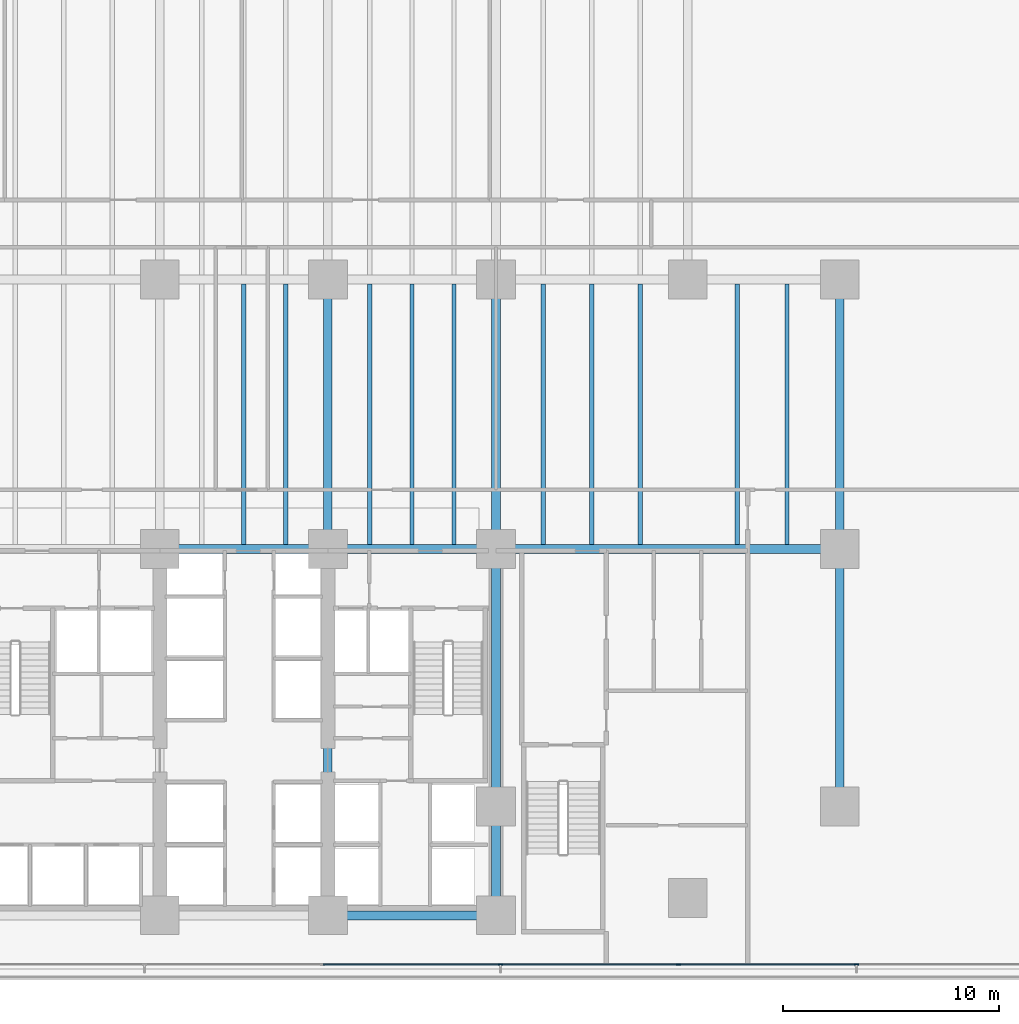
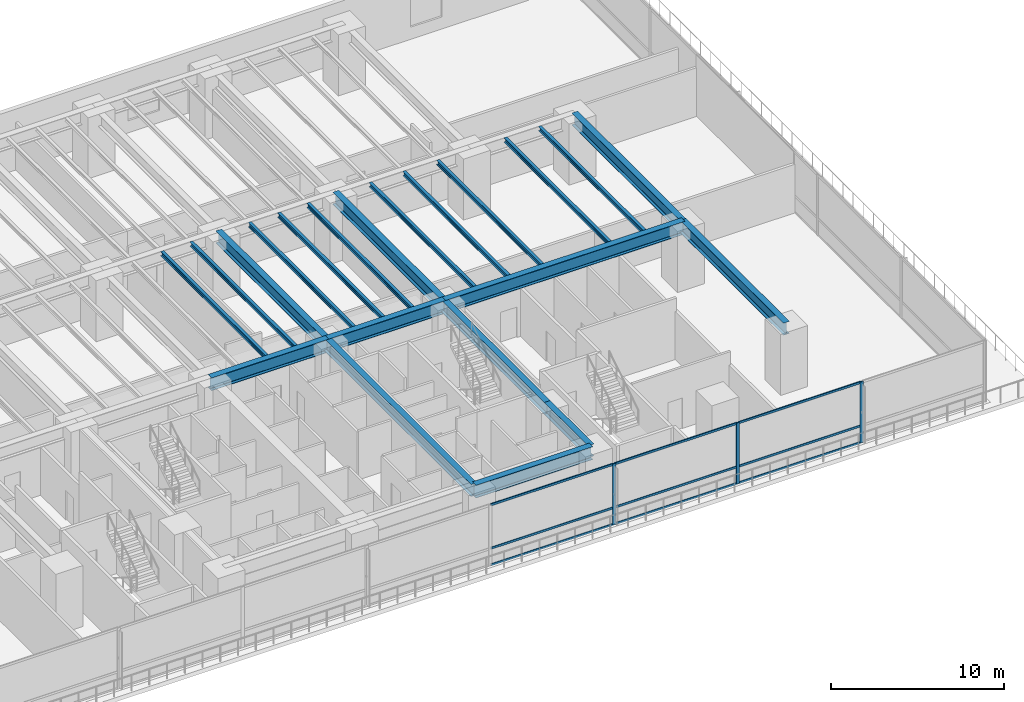
# One storey, part 3 of 24: 21 beams, 12 members, 1 element without a shape of its own.
"""IFC4 building model written with IfcOpenShell, lengths in metres."""

from ifc_helpers import new_model, si_unit, direction, frame, origin, origin_2d, place, context, subcontext, project, spatial, rectangle, i_section, extrude, material, layer, layer_set, material_profile, profile_set, type_object, element, aggregate, save


model = new_model("IFC4")

# Units and contexts
model_context = context("Model", 3, precision=1e-05, world=origin(), true_north=direction((0.0, 1.0)))
body_context = subcontext(model_context, "Body", "Model", "MODEL_VIEW")
ifc_project = project(units=[si_unit("LENGTHUNIT", "METRE"), si_unit("AREAUNIT", "SQUARE_METRE"), si_unit("VOLUMEUNIT", "CUBIC_METRE"), si_unit("PLANEANGLEUNIT", "RADIAN"), si_unit("MASSUNIT", "GRAM", prefix="KILO")], contexts=[model_context])

# Site, building, storey
site_placement = place(None, origin())
site = spatial("IfcSite", under=ifc_project, at=site_placement, CompositionType="ELEMENT")
building_placement = place(site_placement, origin())
building = spatial("IfcBuilding", under=site, at=building_placement, Name="Qalmaran Belvedere Hotel", CompositionType="ELEMENT")
storey_placement = place(building_placement, frame((0.0, 0.0, 14.60009765625)))
storey = spatial("IfcBuildingStorey", under=building, at=storey_placement, Name="L03", CompositionType="ELEMENT", Elevation=14.60009765625)

# Beams
ifc_material_1 = material(Name="Steel S355JR", Category="steel")
ifc_material_profile_1 = material_profile(ifc_material_1, i_section(OverallWidth=0.202880859375, OverallDepth=0.302978515625, WebThickness=0.007568359375, FlangeThickness=0.01318359375, FilletRadius=0.012939453125, at=origin_2d()), Name="W310X60")
ifc_profile_set_1 = profile_set([ifc_material_profile_1], Name="Steel S355JR")
beam_type_1 = type_object("IfcBeamType", Name="BM-JST-W310X60", PredefinedType="JOIST", material=ifc_profile_set_1)
for number, where, z_axis, x_axis, name in (
    (1, (33.10009765625, 20.70703125, 4.1484375), (0.0, 1.0, 0.0), (-1.0, 0.0, 0.0), "L03 Podium South-Ballroom Joist 051"),
    (2, (35.050048828125, 20.70703125, 4.1484375), (0.0, 1.0, 0.0), (-1.0, 0.0, 0.0), "L03 Podium South-Ballroom Joist 053"),
    (3, (38.949951171875, 20.70703125, 4.1484375), (0.0, 1.0, 0.0), (-1.0, 0.0, 0.0), "L03 Podium South-Ballroom Joist 055"),
    (4, (40.89990234375, 20.70703125, 4.1484375), (0.0, 1.0, 0.0), (-1.0, 0.0, 0.0), "L03 Podium South-Ballroom Joist 057"),
    (5, (42.85009765625, 20.70703125, 4.1484375), (0.0, 1.0, 0.0), (-1.0, 0.0, 0.0), "L03 Podium South-Ballroom Joist 059"),
    (6, (47.0, 20.70703125, 4.1484375), (0.0, 1.0, 0.0), (-1.0, 0.0, 0.0), "L03 Podium South-Ballroom Joist 061"),
    (7, (49.25, 20.70703125, 4.1484375), (0.0, 1.0, 0.0), (-1.0, 0.0, 0.0), "L03 Podium South-Ballroom Joist 063"),
    (8, (51.5, 20.70703125, 4.1484375), (0.0, 1.0, 0.0), (-1.0, 0.0, 0.0), "L03 Podium South-Ballroom Joist 065"),
    (9, (56.0, 20.70703125, 4.1484375), (0.0, 1.0, 0.0), (-1.0, 0.0, 0.0), "L03 Podium South-Ballroom Joist 067"),
    (10, (58.300048828125, 20.70703125, 4.1484375), (0.0, 1.0, 0.0), (-1.0, 0.0, 0.0), "L03 Podium South-Ballroom Joist 068"),
):
    element("IfcBeam", number, at=place(storey_placement, frame(where, z_axis=z_axis, x_axis=x_axis)), inside=storey, type_object=beam_type_1, Name=name, PredefinedType="JOIST", context=body_context, shape_type="SweptSolid", body=[
        extrude(i_section(OverallWidth=0.202880859375, OverallDepth=0.302978515625, WebThickness=0.007568359375, FlangeThickness=0.01318359375, FilletRadius=0.012939453125, at=origin_2d()), origin(), (0.0, 0.0, 1.0), 12.0859375),
    ])
ifc_material_profile_2 = material_profile(ifc_material_1, i_section(OverallWidth=0.41796875, OverallDepth=0.912109375, WebThickness=0.019287109375, FlangeThickness=0.031982421875, FilletRadius=0.02392578125, at=origin_2d()), Name="W920X342")
ifc_profile_set_2 = profile_set([ifc_material_profile_2], Name="Steel S355JR")
beam_type_2 = type_object("IfcBeamType", Name="BM-PG2-W920X342", PredefinedType="USERDEFINED", material=ifc_profile_set_2)
for number, where, z_axis, x_axis, name in (
    (11, (37.0, 3.5, 3.843994140625), (1.0, 0.0, 0.0), (0.0, 1.0, 0.0), "L03 Podium Primary Girder GX03"),
    (12, (29.199951171875, 20.5, 3.843994140625), (1.0, 0.0, 0.0), (0.0, 1.0, 0.0), "L03 Podium Primary Girder GX09"),
    (13, (37.0, 20.5, 3.843994140625), (1.0, 0.0, 0.0), (0.0, 1.0, 0.0), "L03 Podium Primary Girder GX10"),
):
    element("IfcBeam", number, at=place(storey_placement, frame(where, z_axis=z_axis, x_axis=x_axis)), inside=storey, type_object=beam_type_2, Name=name, ObjectType="GIRDER", PredefinedType="USERDEFINED", context=body_context, shape_type="SweptSolid", body=[
        extrude(i_section(OverallWidth=0.41796875, OverallDepth=0.912109375, WebThickness=0.019287109375, FlangeThickness=0.031982421875, FilletRadius=0.02392578125, at=origin_2d()), origin(), (0.0, 0.0, 1.0), 7.800048828125),
    ])
beam_1_placement = place(storey_placement, frame((44.800048828125, 20.5, 3.843994140625), z_axis=(1.0, 0.0, 0.0), x_axis=(0.0, 1.0, 0.0)))
element("IfcBeam", 14, at=beam_1_placement, inside=storey, type_object=beam_type_2, Name="L03 Podium Primary Girder GX11", ObjectType="GIRDER", PredefinedType="USERDEFINED", context=body_context, shape_type="SweptSolid", body=[
    extrude(i_section(OverallWidth=0.41796875, OverallDepth=0.912109375, WebThickness=0.019287109375, FlangeThickness=0.031982421875, FilletRadius=0.02392578125, at=origin_2d()), origin(), (0.0, 0.0, 1.0), 15.949951171875),
])
ifc_material_profile_3 = material_profile(ifc_material_1, i_section(OverallWidth=0.39990234375, OverallDepth=0.85498046875, WebThickness=0.018310546875, FlangeThickness=0.029296875, FilletRadius=0.02392578125, at=origin_2d()), Name="W840X299")
ifc_profile_set_3 = profile_set([ifc_material_profile_3], Name="Steel S355JR")
beam_type_3 = type_object("IfcBeamType", Name="BM-PG3-W840X299", PredefinedType="USERDEFINED", material=ifc_profile_set_3)
beam_2_placement = place(storey_placement, frame((37.0, 3.5, 3.872314453125), z_axis=(0.0, 1.0, 0.0), x_axis=(-1.0, 0.0, 0.0)))
element("IfcBeam", 15, at=beam_2_placement, inside=storey, type_object=beam_type_3, Name="L03 Podium Transverse Girder GY31", ObjectType="GIRDER", PredefinedType="USERDEFINED", context=body_context, shape_type="SweptSolid", body=[
    extrude(i_section(OverallWidth=0.39990234375, OverallDepth=0.85498046875, WebThickness=0.018310546875, FlangeThickness=0.029296875, FilletRadius=0.02392578125, at=origin_2d()), origin(), (0.0, 0.0, 1.0), 17.0),
])
beam_3_placement = place(storey_placement, frame((37.0, 20.5, 3.872314453125), z_axis=(0.0, 1.0, 0.0), x_axis=(-1.0, 0.0, 0.0)))
element("IfcBeam", 16, at=beam_3_placement, inside=storey, type_object=beam_type_3, Name="L03 Podium Transverse Girder GY32", ObjectType="GIRDER", PredefinedType="USERDEFINED", context=body_context, shape_type="SweptSolid", body=[
    extrude(i_section(OverallWidth=0.39990234375, OverallDepth=0.85498046875, WebThickness=0.018310546875, FlangeThickness=0.029296875, FilletRadius=0.02392578125, at=origin_2d()), origin(), (0.0, 0.0, 1.0), 12.5),
])
beam_4_placement = place(storey_placement, frame((44.800048828125, 3.5, 3.872314453125), z_axis=(0.0, 1.0, 0.0), x_axis=(-1.0, 0.0, 0.0)))
element("IfcBeam", 17, at=beam_4_placement, inside=storey, type_object=beam_type_3, Name="L03 Podium Transverse Girder GY34", ObjectType="GIRDER", PredefinedType="USERDEFINED", context=body_context, shape_type="SweptSolid", body=[
    extrude(i_section(OverallWidth=0.39990234375, OverallDepth=0.85498046875, WebThickness=0.018310546875, FlangeThickness=0.029296875, FilletRadius=0.02392578125, at=origin_2d()), origin(), (0.0, 0.0, 1.0), 5.050048828125),
])
beam_5_placement = place(storey_placement, frame((44.800048828125, 8.550048828125, 3.872314453125), z_axis=(0.0, 1.0, 0.0), x_axis=(-1.0, 0.0, 0.0)))
element("IfcBeam", 18, at=beam_5_placement, inside=storey, type_object=beam_type_3, Name="L03 Podium Transverse Girder GY35", ObjectType="GIRDER", PredefinedType="USERDEFINED", context=body_context, shape_type="SweptSolid", body=[
    extrude(i_section(OverallWidth=0.39990234375, OverallDepth=0.85498046875, WebThickness=0.018310546875, FlangeThickness=0.029296875, FilletRadius=0.02392578125, at=origin_2d()), origin(), (0.0, 0.0, 1.0), 11.949951171875),
])
beam_6_placement = place(storey_placement, frame((44.800048828125, 20.5, 3.872314453125), z_axis=(0.0, 1.0, 0.0), x_axis=(-1.0, 0.0, 0.0)))
element("IfcBeam", 19, at=beam_6_placement, inside=storey, type_object=beam_type_3, Name="L03 Podium Transverse Girder GY36", ObjectType="GIRDER", PredefinedType="USERDEFINED", context=body_context, shape_type="SweptSolid", body=[
    extrude(i_section(OverallWidth=0.39990234375, OverallDepth=0.85498046875, WebThickness=0.018310546875, FlangeThickness=0.029296875, FilletRadius=0.02392578125, at=origin_2d()), origin(), (0.0, 0.0, 1.0), 12.5),
])
beam_7_placement = place(storey_placement, frame((60.75, 8.550048828125, 3.872314453125), z_axis=(0.0, 1.0, 0.0), x_axis=(-1.0, 0.0, 0.0)))
element("IfcBeam", 20, at=beam_7_placement, inside=storey, type_object=beam_type_3, Name="L03 Podium Transverse Girder GY39", ObjectType="GIRDER", PredefinedType="USERDEFINED", context=body_context, shape_type="SweptSolid", body=[
    extrude(i_section(OverallWidth=0.39990234375, OverallDepth=0.85498046875, WebThickness=0.018310546875, FlangeThickness=0.029296875, FilletRadius=0.02392578125, at=origin_2d()), origin(), (0.0, 0.0, 1.0), 11.949951171875),
])
beam_8_placement = place(storey_placement, frame((60.75, 20.5, 3.872314453125), z_axis=(0.0, 1.0, 0.0), x_axis=(-1.0, 0.0, 0.0)))
element("IfcBeam", 21, at=beam_8_placement, inside=storey, type_object=beam_type_3, Name="L03 Podium Transverse Girder GY40", ObjectType="GIRDER", PredefinedType="USERDEFINED", context=body_context, shape_type="SweptSolid", body=[
    extrude(i_section(OverallWidth=0.39990234375, OverallDepth=0.85498046875, WebThickness=0.018310546875, FlangeThickness=0.029296875, FilletRadius=0.02392578125, at=origin_2d()), origin(), (0.0, 0.0, 1.0), 12.5),
])

# Curtain wall, members
ifc_material_2 = material(Name="Anodised Bronze Aluminium", Category="aluminium")
ifc_layer = layer(ifc_material_2, 0.219970703125, Name="Anodised Bronze Aluminium")
ifc_layer_set = layer_set([ifc_layer], Name="Anodised Bronze Aluminium")
curtain_wall_type = type_object("IfcCurtainWallType", Name="CW1-PODIUM-BRONZE", PredefinedType="NOTDEFINED", material=ifc_layer_set)
curtain_wall_placement = place(storey_placement, origin())
curtain_wall = element("IfcCurtainWall", 22, at=curtain_wall_placement, inside=storey, type_object=curtain_wall_type, Name="L03 Curtain Wall CW1", PredefinedType="NOTDEFINED")
ifc_material_profile_4 = material_profile(ifc_material_2, rectangle(XDim=0.074951171875, YDim=0.219970703125, at=origin_2d()), Name="CWM75X220")
ifc_profile_set_4 = profile_set([ifc_material_profile_4], Name="Anodised Bronze Aluminium")
member_type_1 = type_object("IfcMemberType", Name="CWM-75X220", PredefinedType="MULLION", material=ifc_profile_set_4)
member_1_placement = place(storey_placement, frame((45.007568359375, 1.219970703125, 0.0), z_axis=(0.0, 0.0, 1.0), x_axis=(0.0, 1.0, 0.0)))
member_1 = element("IfcMember", 23, at=member_1_placement, type_object=member_type_1, Name="CW1 mullion 6", PredefinedType="MULLION", context=body_context, shape_type="SweptSolid", body=[
    extrude(rectangle(XDim=0.074951171875, YDim=0.219970703125, at=origin_2d()), origin(), (0.0, 0.0, 1.0), 4.2998046875),
])
member_2_placement = place(storey_placement, frame((53.264892578125, 1.219970703125, 0.0), z_axis=(0.0, 0.0, 1.0), x_axis=(0.0, 1.0, 0.0)))
member_2 = element("IfcMember", 24, at=member_2_placement, type_object=member_type_1, Name="CW1 mullion 7", PredefinedType="MULLION", context=body_context, shape_type="SweptSolid", body=[
    extrude(rectangle(XDim=0.074951171875, YDim=0.219970703125, at=origin_2d()), origin(), (0.0, 0.0, 1.0), 4.2998046875),
])
member_3_placement = place(storey_placement, frame((61.5224609375, 1.219970703125, 0.0), z_axis=(0.0, 0.0, 1.0), x_axis=(0.0, 1.0, 0.0)))
member_3 = element("IfcMember", 25, at=member_3_placement, type_object=member_type_1, Name="CW1 mullion 8", PredefinedType="MULLION", context=body_context, shape_type="SweptSolid", body=[
    extrude(rectangle(XDim=0.074951171875, YDim=0.219970703125, at=origin_2d()), origin(), (0.0, 0.0, 1.0), 4.2998046875),
])
ifc_material_profile_5 = material_profile(ifc_material_2, rectangle(XDim=0.070068359375, YDim=0.14990234375, at=origin_2d()), Name="CWT70X150")
ifc_profile_set_5 = profile_set([ifc_material_profile_5], Name="Anodised Bronze Aluminium")
member_type_2 = type_object("IfcMemberType", Name="CWT-70X150", PredefinedType="USERDEFINED", material=ifc_profile_set_5)
member_4_placement = place(storey_placement, frame((36.78759765625, 1.219970703125, 0.034912109375), z_axis=(1.0, 0.0, 0.0), x_axis=(0.0, 1.0, 0.0)))
member_4 = element("IfcMember", 26, at=member_4_placement, type_object=member_type_2, Name="CW1 transom 5.1", ObjectType="TRANSOM", PredefinedType="USERDEFINED", context=body_context, shape_type="SweptSolid", body=[
    extrude(rectangle(XDim=0.070068359375, YDim=0.14990234375, at=origin_2d()), origin(), (0.0, 0.0, 1.0), 8.182373046875),
])
member_5_placement = place(storey_placement, frame((36.78759765625, 1.219970703125, 1.203857421875), z_axis=(1.0, 0.0, 0.0), x_axis=(0.0, 1.0, 0.0)))
member_5 = element("IfcMember", 27, at=member_5_placement, type_object=member_type_2, Name="CW1 transom 5.2", ObjectType="TRANSOM", PredefinedType="USERDEFINED", context=body_context, shape_type="SweptSolid", body=[
    extrude(rectangle(XDim=0.070068359375, YDim=0.14990234375, at=origin_2d()), origin(), (0.0, 0.0, 1.0), 8.182373046875),
])
member_6_placement = place(storey_placement, frame((36.78759765625, 1.219970703125, 4.264892578125), z_axis=(1.0, 0.0, 0.0), x_axis=(0.0, 1.0, 0.0)))
member_6 = element("IfcMember", 28, at=member_6_placement, type_object=member_type_2, Name="CW1 transom 5.3", ObjectType="TRANSOM", PredefinedType="USERDEFINED", context=body_context, shape_type="SweptSolid", body=[
    extrude(rectangle(XDim=0.070068359375, YDim=0.14990234375, at=origin_2d()), origin(), (0.0, 0.0, 1.0), 8.182373046875),
])
member_7_placement = place(storey_placement, frame((45.044921875, 1.219970703125, 0.034912109375), z_axis=(1.0, 0.0, 0.0), x_axis=(0.0, 1.0, 0.0)))
member_7 = element("IfcMember", 29, at=member_7_placement, type_object=member_type_2, Name="CW1 transom 6.1", ObjectType="TRANSOM", PredefinedType="USERDEFINED", context=body_context, shape_type="SweptSolid", body=[
    extrude(rectangle(XDim=0.070068359375, YDim=0.14990234375, at=origin_2d()), origin(), (0.0, 0.0, 1.0), 8.1826171875),
])
member_8_placement = place(storey_placement, frame((45.044921875, 1.219970703125, 1.203857421875), z_axis=(1.0, 0.0, 0.0), x_axis=(0.0, 1.0, 0.0)))
member_8 = element("IfcMember", 30, at=member_8_placement, type_object=member_type_2, Name="CW1 transom 6.2", ObjectType="TRANSOM", PredefinedType="USERDEFINED", context=body_context, shape_type="SweptSolid", body=[
    extrude(rectangle(XDim=0.070068359375, YDim=0.14990234375, at=origin_2d()), origin(), (0.0, 0.0, 1.0), 8.1826171875),
])
member_9_placement = place(storey_placement, frame((45.044921875, 1.219970703125, 4.264892578125), z_axis=(1.0, 0.0, 0.0), x_axis=(0.0, 1.0, 0.0)))
member_9 = element("IfcMember", 31, at=member_9_placement, type_object=member_type_2, Name="CW1 transom 6.3", ObjectType="TRANSOM", PredefinedType="USERDEFINED", context=body_context, shape_type="SweptSolid", body=[
    extrude(rectangle(XDim=0.070068359375, YDim=0.14990234375, at=origin_2d()), origin(), (0.0, 0.0, 1.0), 8.1826171875),
])
member_10_placement = place(storey_placement, frame((53.302490234375, 1.219970703125, 0.034912109375), z_axis=(1.0, 0.0, 0.0), x_axis=(0.0, 1.0, 0.0)))
member_10 = element("IfcMember", 32, at=member_10_placement, type_object=member_type_2, Name="CW1 transom 7.1", ObjectType="TRANSOM", PredefinedType="USERDEFINED", context=body_context, shape_type="SweptSolid", body=[
    extrude(rectangle(XDim=0.070068359375, YDim=0.14990234375, at=origin_2d()), origin(), (0.0, 0.0, 1.0), 8.1826171875),
])
member_11_placement = place(storey_placement, frame((53.302490234375, 1.219970703125, 1.203857421875), z_axis=(1.0, 0.0, 0.0), x_axis=(0.0, 1.0, 0.0)))
member_11 = element("IfcMember", 33, at=member_11_placement, type_object=member_type_2, Name="CW1 transom 7.2", ObjectType="TRANSOM", PredefinedType="USERDEFINED", context=body_context, shape_type="SweptSolid", body=[
    extrude(rectangle(XDim=0.070068359375, YDim=0.14990234375, at=origin_2d()), origin(), (0.0, 0.0, 1.0), 8.1826171875),
])
member_12_placement = place(storey_placement, frame((53.302490234375, 1.219970703125, 4.264892578125), z_axis=(1.0, 0.0, 0.0), x_axis=(0.0, 1.0, 0.0)))
member_12 = element("IfcMember", 34, at=member_12_placement, type_object=member_type_2, Name="CW1 transom 7.3", ObjectType="TRANSOM", PredefinedType="USERDEFINED", context=body_context, shape_type="SweptSolid", body=[
    extrude(rectangle(XDim=0.070068359375, YDim=0.14990234375, at=origin_2d()), origin(), (0.0, 0.0, 1.0), 8.1826171875),
])
aggregate(curtain_wall, [member_1, member_2, member_3, member_4, member_5, member_6, member_7, member_8, member_9, member_10, member_11, member_12])

save(model, "model.ifc")
